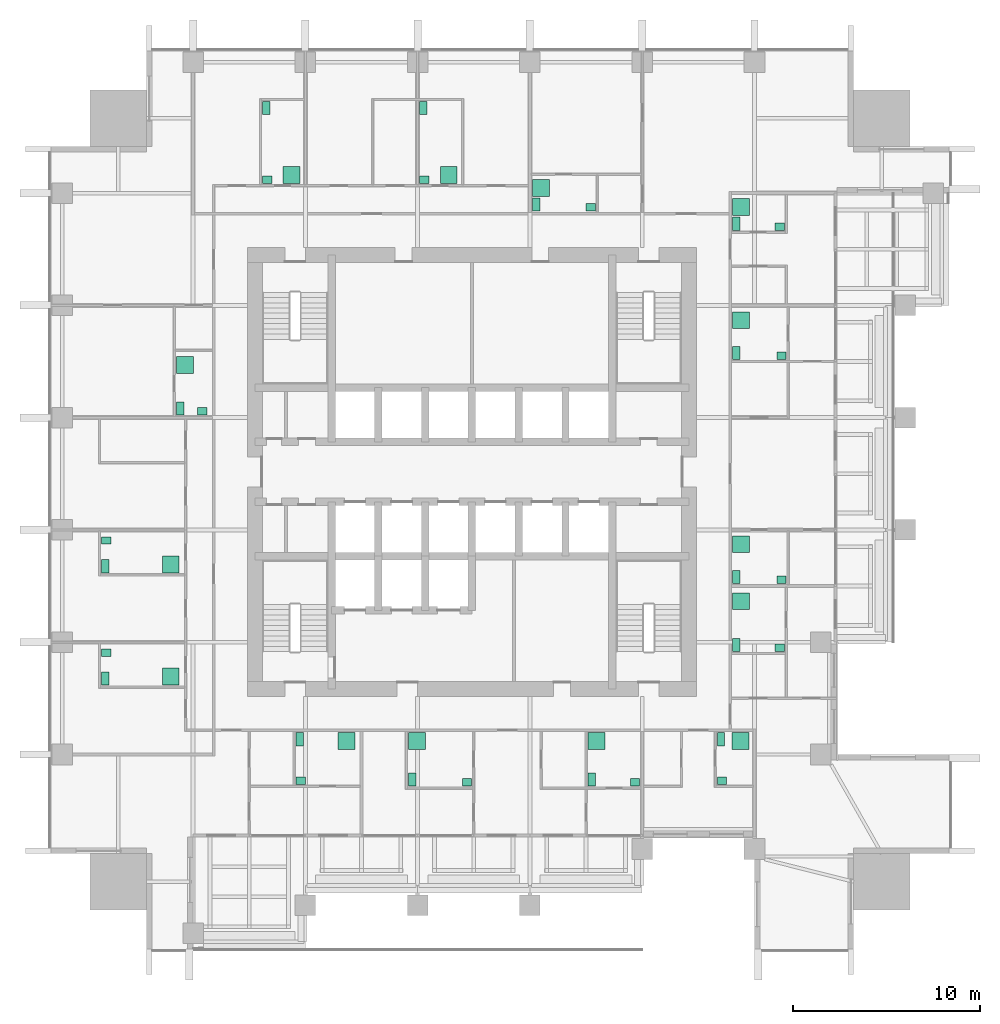
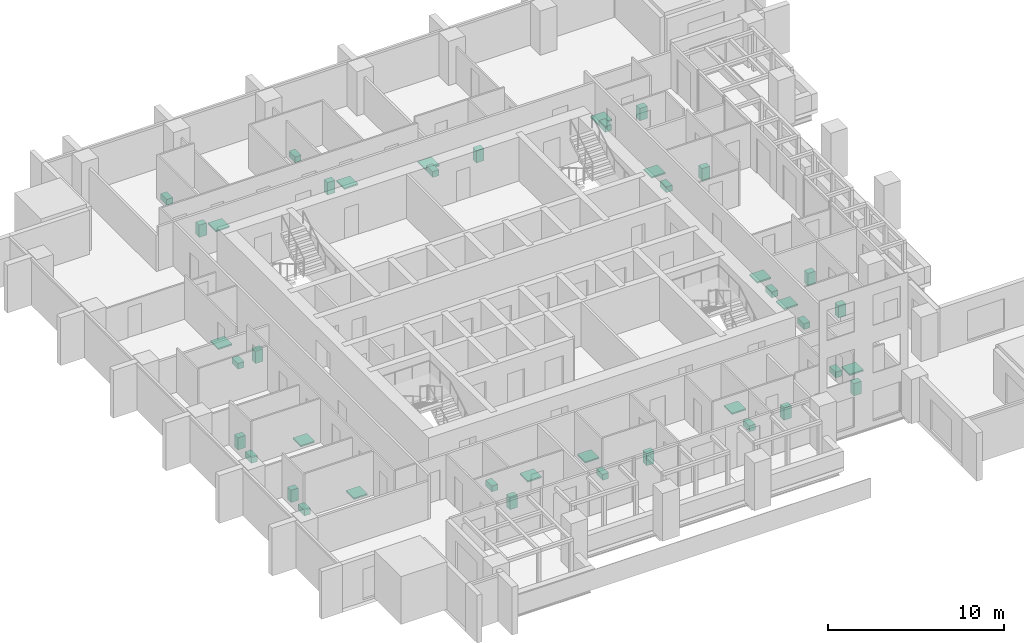
# One storey, part 16 of 16: 42 sanitary terminals.
"""IFC4 building model written with IfcOpenShell, lengths in metres."""

from ifc_helpers import new_model, si_unit, direction, frame, origin, origin_2d, place, context, subcontext, project, spatial, rectangle, extrude, element, save


model = new_model("IFC4")

# Units and contexts
model_context = context("Model", 3, precision=1e-05, world=origin(), true_north=direction((0.0, 1.0)))
body_context = subcontext(model_context, "Body", "Model", "MODEL_VIEW")
ifc_project = project(units=[si_unit("LENGTHUNIT", "METRE"), si_unit("AREAUNIT", "SQUARE_METRE"), si_unit("VOLUMEUNIT", "CUBIC_METRE"), si_unit("PLANEANGLEUNIT", "RADIAN"), si_unit("MASSUNIT", "GRAM", prefix="KILO")], contexts=[model_context])

# Site, building, storey
site_placement = place(None, origin())
site = spatial("IfcSite", under=ifc_project, at=site_placement, CompositionType="ELEMENT")
building_placement = place(site_placement, origin())
building = spatial("IfcBuilding", under=site, at=building_placement, Name="Amberfall Residences", CompositionType="ELEMENT")
storey_placement = place(building_placement, frame((0.0, 0.0, 108.39990234375)))
storey = spatial("IfcBuildingStorey", under=building, at=storey_placement, Name="L29", CompositionType="ELEMENT", Elevation=108.39990234375)

# Sanitary terminals
sanitary_terminal_1_placement = place(storey_placement, frame((65.31005859375, 31.215087890625, 0.000244140625), z_axis=(0.0, 0.0, 1.0), x_axis=(1.0, 0.0, 0.0)))
element("IfcSanitaryTerminal", 1, at=sanitary_terminal_1_placement, inside=storey, Name="Water closet 2901", PredefinedType="TOILETPAN", context=body_context, shape_type="SweptSolid", body=[
    extrude(rectangle(XDim=0.39990234375, YDim=0.699951171875, at=origin_2d()), origin(), (0.0, 0.0, 1.0), 0.39990234375),
])
sanitary_terminal_2_placement = place(storey_placement, frame((65.360107421875, 29.010009765625, 0.0), z_axis=(0.0, 0.0, 1.0), x_axis=(1.0, 0.0, 0.0)))
element("IfcSanitaryTerminal", 2, at=sanitary_terminal_2_placement, inside=storey, Name="Basin 2901", PredefinedType="WASHHANDBASIN", context=body_context, shape_type="SweptSolid", body=[
    extrude(rectangle(XDim=0.5, YDim=0.39990234375, at=origin_2d()), origin(), (0.0, 0.0, 1.0), 0.85009765625),
])
sanitary_terminal_3_placement = place(storey_placement, frame((67.791748046875, 31.114990234375, 0.0), z_axis=(0.0, 0.0, 1.0), x_axis=(1.0, 0.0, 0.0)))
element("IfcSanitaryTerminal", 3, at=sanitary_terminal_3_placement, inside=storey, Name="Shower tray 2901", PredefinedType="SHOWER", context=body_context, shape_type="SweptSolid", body=[
    extrude(rectangle(XDim=0.89990234375, YDim=0.89990234375, at=origin_2d()), origin(), (0.0, 0.0, 1.0), 0.10009765625),
])
sanitary_terminal_4_placement = place(storey_placement, frame((71.31005859375, 29.06005859375, 0.000244140625), z_axis=(0.0, 0.0, 1.0), x_axis=(1.0, 0.0, 0.0)))
element("IfcSanitaryTerminal", 4, at=sanitary_terminal_4_placement, inside=storey, Name="Water closet 2902", PredefinedType="TOILETPAN", context=body_context, shape_type="SweptSolid", body=[
    extrude(rectangle(XDim=0.39990234375, YDim=0.699951171875, at=origin_2d()), origin(), (0.0, 0.0, 1.0), 0.39990234375),
])
sanitary_terminal_5_placement = place(storey_placement, frame((74.239990234375, 28.909912109375, 0.0), z_axis=(0.0, 0.0, 1.0), x_axis=(1.0, 0.0, 0.0)))
element("IfcSanitaryTerminal", 5, at=sanitary_terminal_5_placement, inside=storey, Name="Basin 2902", PredefinedType="WASHHANDBASIN", context=body_context, shape_type="SweptSolid", body=[
    extrude(rectangle(XDim=0.5, YDim=0.39990234375, at=origin_2d()), origin(), (0.0, 0.0, 1.0), 0.85009765625),
])
sanitary_terminal_6_placement = place(storey_placement, frame((71.56005859375, 31.114990234375, 0.0), z_axis=(0.0, 0.0, 1.0), x_axis=(1.0, 0.0, 0.0)))
element("IfcSanitaryTerminal", 6, at=sanitary_terminal_6_placement, inside=storey, Name="Shower tray 2902", PredefinedType="SHOWER", context=body_context, shape_type="SweptSolid", body=[
    extrude(rectangle(XDim=0.89990234375, YDim=0.89990234375, at=origin_2d()), origin(), (0.0, 0.0, 1.0), 0.10009765625),
])
sanitary_terminal_7_placement = place(storey_placement, frame((80.909912109375, 29.06005859375, 0.000244140625), z_axis=(0.0, 0.0, 1.0), x_axis=(1.0, 0.0, 0.0)))
element("IfcSanitaryTerminal", 7, at=sanitary_terminal_7_placement, inside=storey, Name="Water closet 2902", PredefinedType="TOILETPAN", context=body_context, shape_type="SweptSolid", body=[
    extrude(rectangle(XDim=0.39990234375, YDim=0.699951171875, at=origin_2d()), origin(), (0.0, 0.0, 1.0), 0.39990234375),
])
sanitary_terminal_8_placement = place(storey_placement, frame((83.215087890625, 28.909912109375, 0.0), z_axis=(0.0, 0.0, 1.0), x_axis=(1.0, 0.0, 0.0)))
element("IfcSanitaryTerminal", 8, at=sanitary_terminal_8_placement, inside=storey, Name="Basin 2902", PredefinedType="WASHHANDBASIN", context=body_context, shape_type="SweptSolid", body=[
    extrude(rectangle(XDim=0.5, YDim=0.39990234375, at=origin_2d()), origin(), (0.0, 0.0, 1.0), 0.85009765625),
])
sanitary_terminal_9_placement = place(storey_placement, frame((81.159912109375, 31.114990234375, 0.0), z_axis=(0.0, 0.0, 1.0), x_axis=(1.0, 0.0, 0.0)))
element("IfcSanitaryTerminal", 9, at=sanitary_terminal_9_placement, inside=storey, Name="Shower tray 2902", PredefinedType="SHOWER", context=body_context, shape_type="SweptSolid", body=[
    extrude(rectangle(XDim=0.89990234375, YDim=0.89990234375, at=origin_2d()), origin(), (0.0, 0.0, 1.0), 0.10009765625),
])
sanitary_terminal_10_placement = place(storey_placement, frame((87.81005859375, 31.215087890625, 0.000244140625), z_axis=(0.0, 0.0, 1.0), x_axis=(1.0, 0.0, 0.0)))
element("IfcSanitaryTerminal", 10, at=sanitary_terminal_10_placement, inside=storey, Name="Water closet 2903", PredefinedType="TOILETPAN", context=body_context, shape_type="SweptSolid", body=[
    extrude(rectangle(XDim=0.39990234375, YDim=0.699951171875, at=origin_2d()), origin(), (0.0, 0.0, 1.0), 0.39990234375),
])
sanitary_terminal_11_placement = place(storey_placement, frame((87.860107421875, 29.010009765625, 0.0), z_axis=(0.0, 0.0, 1.0), x_axis=(1.0, 0.0, 0.0)))
element("IfcSanitaryTerminal", 11, at=sanitary_terminal_11_placement, inside=storey, Name="Basin 2903", PredefinedType="WASHHANDBASIN", context=body_context, shape_type="SweptSolid", body=[
    extrude(rectangle(XDim=0.5, YDim=0.39990234375, at=origin_2d()), origin(), (0.0, 0.0, 1.0), 0.85009765625),
])
sanitary_terminal_12_placement = place(storey_placement, frame((88.855712890625, 31.114990234375, 0.0), z_axis=(0.0, 0.0, 1.0), x_axis=(1.0, 0.0, 0.0)))
element("IfcSanitaryTerminal", 12, at=sanitary_terminal_12_placement, inside=storey, Name="Shower tray 2903", PredefinedType="SHOWER", context=body_context, shape_type="SweptSolid", body=[
    extrude(rectangle(XDim=0.89990234375, YDim=0.89990234375, at=origin_2d()), origin(), (0.0, 0.0, 1.0), 0.10009765625),
])
sanitary_terminal_13_placement = place(storey_placement, frame((88.635009765625, 36.260009765625, 0.000244140625), z_axis=(0.0, 0.0, 1.0), x_axis=(1.0, 0.0, 0.0)))
element("IfcSanitaryTerminal", 13, at=sanitary_terminal_13_placement, inside=storey, Name="Water closet 2904", PredefinedType="TOILETPAN", context=body_context, shape_type="SweptSolid", body=[
    extrude(rectangle(XDim=0.39990234375, YDim=0.699951171875, at=origin_2d()), origin(), (0.0, 0.0, 1.0), 0.39990234375),
])
sanitary_terminal_14_placement = place(storey_placement, frame((90.93994140625, 36.110107421875, 0.0), z_axis=(0.0, 0.0, 1.0), x_axis=(1.0, 0.0, 0.0)))
element("IfcSanitaryTerminal", 14, at=sanitary_terminal_14_placement, inside=storey, Name="Basin 2904", PredefinedType="WASHHANDBASIN", context=body_context, shape_type="SweptSolid", body=[
    extrude(rectangle(XDim=0.5, YDim=0.39990234375, at=origin_2d()), origin(), (0.0, 0.0, 1.0), 0.85009765625),
])
sanitary_terminal_15_placement = place(storey_placement, frame((88.885009765625, 38.591796875, 0.0), z_axis=(0.0, 0.0, 1.0), x_axis=(1.0, 0.0, 0.0)))
element("IfcSanitaryTerminal", 15, at=sanitary_terminal_15_placement, inside=storey, Name="Shower tray 2904", PredefinedType="SHOWER", context=body_context, shape_type="SweptSolid", body=[
    extrude(rectangle(XDim=0.89990234375, YDim=0.89990234375, at=origin_2d()), origin(), (0.0, 0.0, 1.0), 0.10009765625),
])
sanitary_terminal_16_placement = place(storey_placement, frame((88.635009765625, 39.885009765625, 0.000244140625), z_axis=(0.0, 0.0, 1.0), x_axis=(1.0, 0.0, 0.0)))
element("IfcSanitaryTerminal", 16, at=sanitary_terminal_16_placement, inside=storey, Name="Water closet 2905", PredefinedType="TOILETPAN", context=body_context, shape_type="SweptSolid", body=[
    extrude(rectangle(XDim=0.39990234375, YDim=0.699951171875, at=origin_2d()), origin(), (0.0, 0.0, 1.0), 0.39990234375),
])
sanitary_terminal_17_placement = place(storey_placement, frame((91.0400390625, 39.735107421875, 0.0), z_axis=(0.0, 0.0, 1.0), x_axis=(1.0, 0.0, 0.0)))
element("IfcSanitaryTerminal", 17, at=sanitary_terminal_17_placement, inside=storey, Name="Basin 2905", PredefinedType="WASHHANDBASIN", context=body_context, shape_type="SweptSolid", body=[
    extrude(rectangle(XDim=0.5, YDim=0.39990234375, at=origin_2d()), origin(), (0.0, 0.0, 1.0), 0.85009765625),
])
sanitary_terminal_18_placement = place(storey_placement, frame((88.885009765625, 41.6337890625, 0.0), z_axis=(0.0, 0.0, 1.0), x_axis=(1.0, 0.0, 0.0)))
element("IfcSanitaryTerminal", 18, at=sanitary_terminal_18_placement, inside=storey, Name="Shower tray 2905", PredefinedType="SHOWER", context=body_context, shape_type="SweptSolid", body=[
    extrude(rectangle(XDim=0.89990234375, YDim=0.89990234375, at=origin_2d()), origin(), (0.0, 0.0, 1.0), 0.10009765625),
])
sanitary_terminal_19_placement = place(storey_placement, frame((88.635009765625, 51.860107421875, 0.000244140625), z_axis=(0.0, 0.0, 1.0), x_axis=(1.0, 0.0, 0.0)))
element("IfcSanitaryTerminal", 19, at=sanitary_terminal_19_placement, inside=storey, Name="Water closet 2905", PredefinedType="TOILETPAN", context=body_context, shape_type="SweptSolid", body=[
    extrude(rectangle(XDim=0.39990234375, YDim=0.699951171875, at=origin_2d()), origin(), (0.0, 0.0, 1.0), 0.39990234375),
])
sanitary_terminal_20_placement = place(storey_placement, frame((91.0400390625, 51.7099609375, 0.0), z_axis=(0.0, 0.0, 1.0), x_axis=(1.0, 0.0, 0.0)))
element("IfcSanitaryTerminal", 20, at=sanitary_terminal_20_placement, inside=storey, Name="Basin 2905", PredefinedType="WASHHANDBASIN", context=body_context, shape_type="SweptSolid", body=[
    extrude(rectangle(XDim=0.5, YDim=0.39990234375, at=origin_2d()), origin(), (0.0, 0.0, 1.0), 0.85009765625),
])
sanitary_terminal_21_placement = place(storey_placement, frame((88.885009765625, 53.60888671875, 0.0), z_axis=(0.0, 0.0, 1.0), x_axis=(1.0, 0.0, 0.0)))
element("IfcSanitaryTerminal", 21, at=sanitary_terminal_21_placement, inside=storey, Name="Shower tray 2905", PredefinedType="SHOWER", context=body_context, shape_type="SweptSolid", body=[
    extrude(rectangle(XDim=0.89990234375, YDim=0.89990234375, at=origin_2d()), origin(), (0.0, 0.0, 1.0), 0.10009765625),
])
sanitary_terminal_22_placement = place(storey_placement, frame((88.635009765625, 58.760009765625, 0.000244140625), z_axis=(0.0, 0.0, 1.0), x_axis=(1.0, 0.0, 0.0)))
element("IfcSanitaryTerminal", 22, at=sanitary_terminal_22_placement, inside=storey, Name="Water closet 2906", PredefinedType="TOILETPAN", context=body_context, shape_type="SweptSolid", body=[
    extrude(rectangle(XDim=0.39990234375, YDim=0.699951171875, at=origin_2d()), origin(), (0.0, 0.0, 1.0), 0.39990234375),
])
sanitary_terminal_23_placement = place(storey_placement, frame((90.93994140625, 58.610107421875, 0.0), z_axis=(0.0, 0.0, 1.0), x_axis=(1.0, 0.0, 0.0)))
element("IfcSanitaryTerminal", 23, at=sanitary_terminal_23_placement, inside=storey, Name="Basin 2906", PredefinedType="WASHHANDBASIN", context=body_context, shape_type="SweptSolid", body=[
    extrude(rectangle(XDim=0.5, YDim=0.39990234375, at=origin_2d()), origin(), (0.0, 0.0, 1.0), 0.85009765625),
])
sanitary_terminal_24_placement = place(storey_placement, frame((88.885009765625, 59.65576171875, 0.0), z_axis=(0.0, 0.0, 1.0), x_axis=(1.0, 0.0, 0.0)))
element("IfcSanitaryTerminal", 24, at=sanitary_terminal_24_placement, inside=storey, Name="Shower tray 2906", PredefinedType="SHOWER", context=body_context, shape_type="SweptSolid", body=[
    extrude(rectangle(XDim=0.89990234375, YDim=0.89990234375, at=origin_2d()), origin(), (0.0, 0.0, 1.0), 0.10009765625),
])
sanitary_terminal_25_placement = place(storey_placement, frame((63.510009765625, 64.93994140625, 0.000244140625), z_axis=(0.0, 0.0, 1.0), x_axis=(1.0, 0.0, 0.0)))
element("IfcSanitaryTerminal", 25, at=sanitary_terminal_25_placement, inside=storey, Name="Water closet 2907", PredefinedType="TOILETPAN", context=body_context, shape_type="SweptSolid", body=[
    extrude(rectangle(XDim=0.39990234375, YDim=0.699951171875, at=origin_2d()), origin(), (0.0, 0.0, 1.0), 0.39990234375),
])
sanitary_terminal_26_placement = place(storey_placement, frame((63.56005859375, 61.110107421875, 0.0), z_axis=(0.0, 0.0, 1.0), x_axis=(1.0, 0.0, 0.0)))
element("IfcSanitaryTerminal", 26, at=sanitary_terminal_26_placement, inside=storey, Name="Basin 2907", PredefinedType="WASHHANDBASIN", context=body_context, shape_type="SweptSolid", body=[
    extrude(rectangle(XDim=0.5, YDim=0.39990234375, at=origin_2d()), origin(), (0.0, 0.0, 1.0), 0.85009765625),
])
sanitary_terminal_27_placement = place(storey_placement, frame((64.857177734375, 61.360107421875, 0.0), z_axis=(0.0, 0.0, 1.0), x_axis=(1.0, 0.0, 0.0)))
element("IfcSanitaryTerminal", 27, at=sanitary_terminal_27_placement, inside=storey, Name="Shower tray 2907", PredefinedType="SHOWER", context=body_context, shape_type="SweptSolid", body=[
    extrude(rectangle(XDim=0.89990234375, YDim=0.89990234375, at=origin_2d()), origin(), (0.0, 0.0, 1.0), 0.10009765625),
])
sanitary_terminal_28_placement = place(storey_placement, frame((71.909912109375, 64.93994140625, 0.000244140625), z_axis=(0.0, 0.0, 1.0), x_axis=(1.0, 0.0, 0.0)))
element("IfcSanitaryTerminal", 28, at=sanitary_terminal_28_placement, inside=storey, Name="Water closet 2907", PredefinedType="TOILETPAN", context=body_context, shape_type="SweptSolid", body=[
    extrude(rectangle(XDim=0.39990234375, YDim=0.699951171875, at=origin_2d()), origin(), (0.0, 0.0, 1.0), 0.39990234375),
])
sanitary_terminal_29_placement = place(storey_placement, frame((71.9599609375, 61.110107421875, 0.0), z_axis=(0.0, 0.0, 1.0), x_axis=(1.0, 0.0, 0.0)))
element("IfcSanitaryTerminal", 29, at=sanitary_terminal_29_placement, inside=storey, Name="Basin 2907", PredefinedType="WASHHANDBASIN", context=body_context, shape_type="SweptSolid", body=[
    extrude(rectangle(XDim=0.5, YDim=0.39990234375, at=origin_2d()), origin(), (0.0, 0.0, 1.0), 0.85009765625),
])
sanitary_terminal_30_placement = place(storey_placement, frame((73.257080078125, 61.360107421875, 0.0), z_axis=(0.0, 0.0, 1.0), x_axis=(1.0, 0.0, 0.0)))
element("IfcSanitaryTerminal", 30, at=sanitary_terminal_30_placement, inside=storey, Name="Shower tray 2907", PredefinedType="SHOWER", context=body_context, shape_type="SweptSolid", body=[
    extrude(rectangle(XDim=0.89990234375, YDim=0.89990234375, at=origin_2d()), origin(), (0.0, 0.0, 1.0), 0.10009765625),
])
sanitary_terminal_31_placement = place(storey_placement, frame((77.93505859375, 59.784912109375, 0.000244140625), z_axis=(0.0, 0.0, 1.0), x_axis=(1.0, 0.0, 0.0)))
element("IfcSanitaryTerminal", 31, at=sanitary_terminal_31_placement, inside=storey, Name="Water closet 2908", PredefinedType="TOILETPAN", context=body_context, shape_type="SweptSolid", body=[
    extrude(rectangle(XDim=0.39990234375, YDim=0.699951171875, at=origin_2d()), origin(), (0.0, 0.0, 1.0), 0.39990234375),
])
sanitary_terminal_32_placement = place(storey_placement, frame((80.840087890625, 59.635009765625, 0.0), z_axis=(0.0, 0.0, 1.0), x_axis=(1.0, 0.0, 0.0)))
element("IfcSanitaryTerminal", 32, at=sanitary_terminal_32_placement, inside=storey, Name="Basin 2908", PredefinedType="WASHHANDBASIN", context=body_context, shape_type="SweptSolid", body=[
    extrude(rectangle(XDim=0.5, YDim=0.39990234375, at=origin_2d()), origin(), (0.0, 0.0, 1.0), 0.85009765625),
])
sanitary_terminal_33_placement = place(storey_placement, frame((78.18505859375, 60.680908203125, 0.0), z_axis=(0.0, 0.0, 1.0), x_axis=(1.0, 0.0, 0.0)))
element("IfcSanitaryTerminal", 33, at=sanitary_terminal_33_placement, inside=storey, Name="Shower tray 2908", PredefinedType="SHOWER", context=body_context, shape_type="SweptSolid", body=[
    extrude(rectangle(XDim=0.89990234375, YDim=0.89990234375, at=origin_2d()), origin(), (0.0, 0.0, 1.0), 0.10009765625),
])
sanitary_terminal_34_placement = place(storey_placement, frame((54.909912109375, 34.4599609375, 0.000244140625), z_axis=(0.0, 0.0, 1.0), x_axis=(1.0, 0.0, 0.0)))
element("IfcSanitaryTerminal", 34, at=sanitary_terminal_34_placement, inside=storey, Name="Water closet 2909", PredefinedType="TOILETPAN", context=body_context, shape_type="SweptSolid", body=[
    extrude(rectangle(XDim=0.39990234375, YDim=0.699951171875, at=origin_2d()), origin(), (0.0, 0.0, 1.0), 0.39990234375),
])
sanitary_terminal_35_placement = place(storey_placement, frame((54.9599609375, 35.835693359375, 0.0), z_axis=(0.0, 0.0, 1.0), x_axis=(1.0, 0.0, 0.0)))
element("IfcSanitaryTerminal", 35, at=sanitary_terminal_35_placement, inside=storey, Name="Basin 2909", PredefinedType="WASHHANDBASIN", context=body_context, shape_type="SweptSolid", body=[
    extrude(rectangle(XDim=0.5, YDim=0.39990234375, at=origin_2d()), origin(), (0.0, 0.0, 1.0), 0.85009765625),
])
sanitary_terminal_36_placement = place(storey_placement, frame((58.407958984375, 34.56005859375, 0.0), z_axis=(0.0, 0.0, 1.0), x_axis=(1.0, 0.0, 0.0)))
element("IfcSanitaryTerminal", 36, at=sanitary_terminal_36_placement, inside=storey, Name="Shower tray 2909", PredefinedType="SHOWER", context=body_context, shape_type="SweptSolid", body=[
    extrude(rectangle(XDim=0.89990234375, YDim=0.89990234375, at=origin_2d()), origin(), (0.0, 0.0, 1.0), 0.10009765625),
])
sanitary_terminal_37_placement = place(storey_placement, frame((54.909912109375, 40.4599609375, 0.000244140625), z_axis=(0.0, 0.0, 1.0), x_axis=(1.0, 0.0, 0.0)))
element("IfcSanitaryTerminal", 37, at=sanitary_terminal_37_placement, inside=storey, Name="Water closet 2909", PredefinedType="TOILETPAN", context=body_context, shape_type="SweptSolid", body=[
    extrude(rectangle(XDim=0.39990234375, YDim=0.699951171875, at=origin_2d()), origin(), (0.0, 0.0, 1.0), 0.39990234375),
])
sanitary_terminal_38_placement = place(storey_placement, frame((54.9599609375, 41.835693359375, 0.0), z_axis=(0.0, 0.0, 1.0), x_axis=(1.0, 0.0, 0.0)))
element("IfcSanitaryTerminal", 38, at=sanitary_terminal_38_placement, inside=storey, Name="Basin 2909", PredefinedType="WASHHANDBASIN", context=body_context, shape_type="SweptSolid", body=[
    extrude(rectangle(XDim=0.5, YDim=0.39990234375, at=origin_2d()), origin(), (0.0, 0.0, 1.0), 0.85009765625),
])
sanitary_terminal_39_placement = place(storey_placement, frame((58.407958984375, 40.56005859375, 0.0), z_axis=(0.0, 0.0, 1.0), x_axis=(1.0, 0.0, 0.0)))
element("IfcSanitaryTerminal", 39, at=sanitary_terminal_39_placement, inside=storey, Name="Shower tray 2909", PredefinedType="SHOWER", context=body_context, shape_type="SweptSolid", body=[
    extrude(rectangle(XDim=0.89990234375, YDim=0.89990234375, at=origin_2d()), origin(), (0.0, 0.0, 1.0), 0.10009765625),
])
sanitary_terminal_40_placement = place(storey_placement, frame((58.909912109375, 48.885009765625, 0.000244140625), z_axis=(0.0, 0.0, 1.0), x_axis=(1.0, 0.0, 0.0)))
element("IfcSanitaryTerminal", 40, at=sanitary_terminal_40_placement, inside=storey, Name="Water closet 2910", PredefinedType="TOILETPAN", context=body_context, shape_type="SweptSolid", body=[
    extrude(rectangle(XDim=0.39990234375, YDim=0.699951171875, at=origin_2d()), origin(), (0.0, 0.0, 1.0), 0.39990234375),
])
sanitary_terminal_41_placement = place(storey_placement, frame((60.089111328125, 48.735107421875, 0.0), z_axis=(0.0, 0.0, 1.0), x_axis=(1.0, 0.0, 0.0)))
element("IfcSanitaryTerminal", 41, at=sanitary_terminal_41_placement, inside=storey, Name="Basin 2910", PredefinedType="WASHHANDBASIN", context=body_context, shape_type="SweptSolid", body=[
    extrude(rectangle(XDim=0.5, YDim=0.39990234375, at=origin_2d()), origin(), (0.0, 0.0, 1.0), 0.85009765625),
])
sanitary_terminal_42_placement = place(storey_placement, frame((59.159912109375, 51.216796875, 0.0), z_axis=(0.0, 0.0, 1.0), x_axis=(1.0, 0.0, 0.0)))
element("IfcSanitaryTerminal", 42, at=sanitary_terminal_42_placement, inside=storey, Name="Shower tray 2910", PredefinedType="SHOWER", context=body_context, shape_type="SweptSolid", body=[
    extrude(rectangle(XDim=0.89990234375, YDim=0.89990234375, at=origin_2d()), origin(), (0.0, 0.0, 1.0), 0.10009765625),
])

save(model, "model.ifc")
